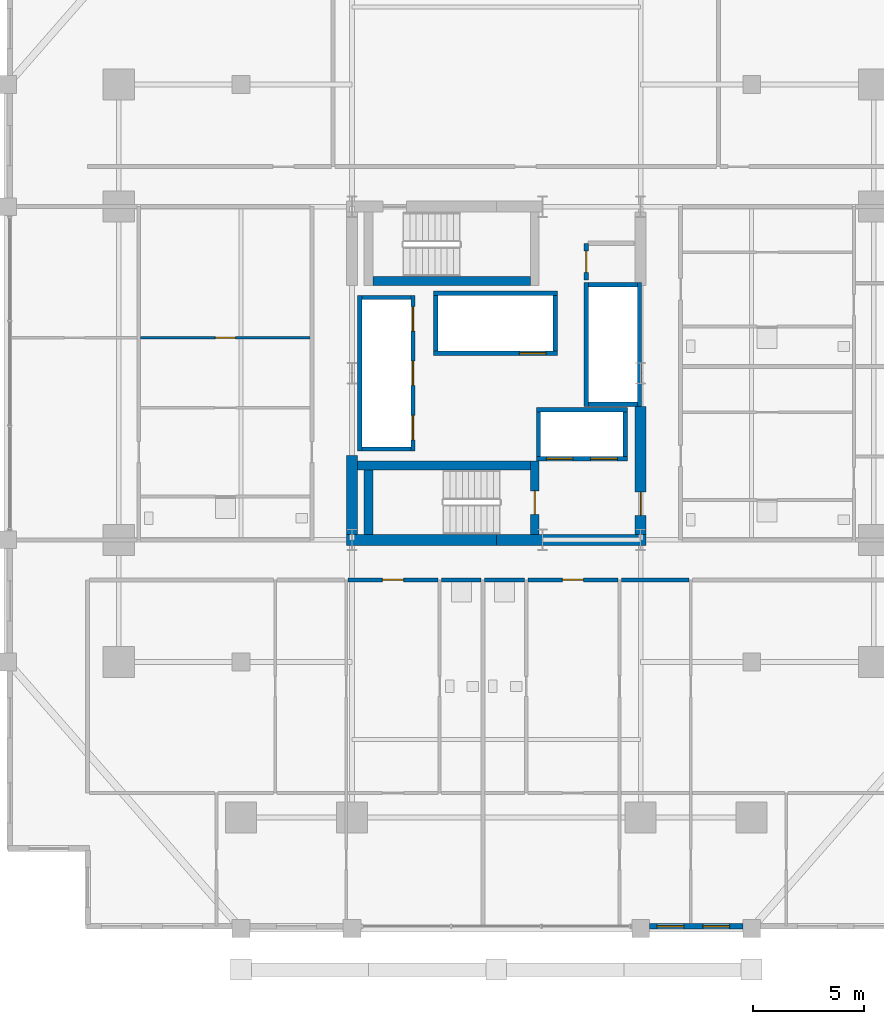
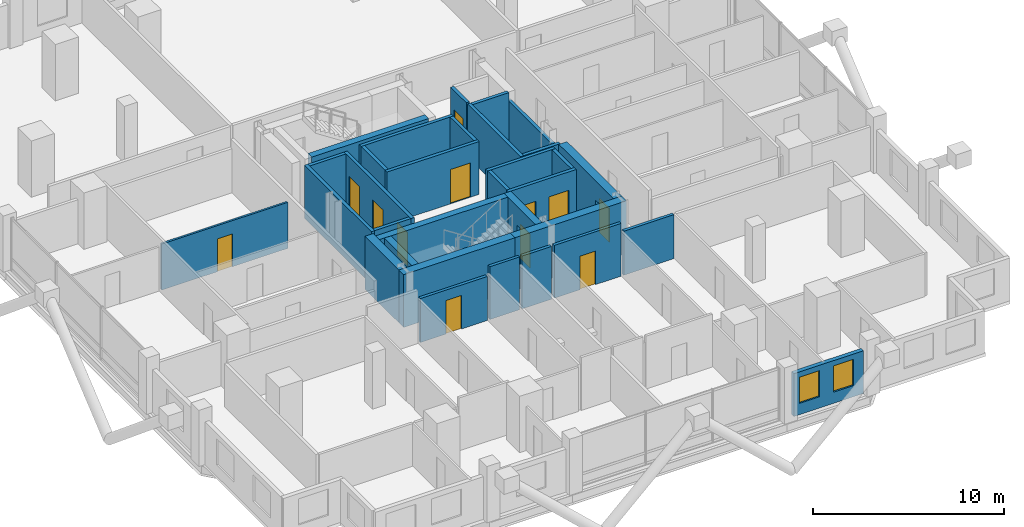
# One storey, part 18 of 23: 32 walls, 12 doors, 2 windows, 14 openings.
"""IFC4 building model written with IfcOpenShell, lengths in metres."""

from ifc_helpers import new_model, si_unit, direction, frame, frame_2d, origin, place, context, subcontext, project, spatial, rectangle, extrude, material, layer, layer_set, type_object, element, fill, save


model = new_model("IFC4")

# Units and contexts
model_context = context("Model", 3, precision=1e-05, world=origin(), true_north=direction((0.0, 1.0)))
body_context = subcontext(model_context, "Body", "Model", "MODEL_VIEW")
ifc_project = project(units=[si_unit("LENGTHUNIT", "METRE"), si_unit("AREAUNIT", "SQUARE_METRE"), si_unit("VOLUMEUNIT", "CUBIC_METRE"), si_unit("PLANEANGLEUNIT", "RADIAN"), si_unit("MASSUNIT", "GRAM", prefix="KILO")], contexts=[model_context])

# Site, building, storey
site_placement = place(None, origin())
site = spatial("IfcSite", under=ifc_project, at=site_placement, CompositionType="ELEMENT")
building_placement = place(site_placement, origin())
building = spatial("IfcBuilding", under=site, at=building_placement, Name="Barlavira Tower and Art Museum", CompositionType="ELEMENT")
storey_placement = place(building_placement, frame((0.0, 0.0, 68.39990234375)))
storey = spatial("IfcBuildingStorey", under=building, at=storey_placement, Name="L16", CompositionType="ELEMENT", Elevation=68.39990234375)

# Wall, opening, door
ifc_material_1 = material(Name="Gypsum acoustic stud partition", Category="gypsum")
ifc_layer_1 = layer(ifc_material_1, 0.1201171875, Name="Gypsum acoustic stud partition")
ifc_layer_set_1 = layer_set([ifc_layer_1], Name="Gypsum acoustic stud partition")
wall_type_1 = type_object("IfcWallType", Name="Apartment Internal Acoustic Partition 120", PredefinedType="PARTITIONING", material=ifc_layer_set_1)
wall_1_placement = place(storey_placement, frame((-16.02001953125, 1.60009765625, 0.0), z_axis=(0.0, 0.0, 1.0), x_axis=(1.0, 0.0, 0.0)))
wall_1 = element("IfcWall", 1, at=wall_1_placement, inside=storey, type_object=wall_type_1, Name="L16 Partition Wall 49", PredefinedType="PARTITIONING", context=body_context, shape_type="SweptSolid", body=[
    extrude(rectangle(XDim=7.64013671875, YDim=0.1201171875, at=frame_2d((3.820068359375, 0.0))), origin(), (0.0, 0.0, 1.0), 2.947998046875),
])
opening_1_placement = place(wall_1_placement, frame((3.3701171875, 0.0, 0.0)))
opening_1 = element("IfcOpeningElement", 2, at=opening_1_placement, cuts=wall_1, Name="Opening D-01", PredefinedType="OPENING", context=body_context, shape_type="SweptSolid", body=[
    extrude(rectangle(XDim=0.89990234375, YDim=2.10009765625, at=frame_2d((0.449951171875, 1.050048828125))), frame((0.0, 0.070068359375, 0.0), z_axis=(0.0, -1.0, 0.0), x_axis=(1.0, 0.0, 0.0)), (0.0, 0.0, 1.0), 0.14013671875),
])
ifc_material_2 = material(Name="Engineered coastal hardwood", Category="wood")
door_type_1 = type_object("IfcDoorType", Name="Internal Bedroom Timber Flush Door 900x2100", OperationType="NOTDEFINED", PredefinedType="DOOR", material=ifc_material_2)
door_1_placement = place(opening_1_placement, origin())
door_1 = element("IfcDoor", 3, at=door_1_placement, inside=storey, type_object=door_type_1, Name="Apartment W1 Walk-In Dressing Room Door", OperationType="SINGLE_SWING_RIGHT", OverallHeight=2.10009765625, OverallWidth=0.89990234375, PredefinedType="DOOR", context=body_context, shape_type="SweptSolid", body=[
    extrude(rectangle(XDim=0.89990234375, YDim=2.10009765625, at=frame_2d((0.449951171875, 1.050048828125))), frame((0.0, 0.02490234375, 0.0), z_axis=(0.0, -1.0, 0.0), x_axis=(1.0, 0.0, 0.0)), (0.0, 0.0, 1.0), 0.050048828125),
])
fill(opening_1, door_1)

# Walls
ifc_material_3 = material(Name="Concrete C60", Category="concrete")
ifc_layer_2 = layer(ifc_material_3, 0.5, Name="Concrete C60")
ifc_layer_set_2 = layer_set([ifc_layer_2], Name="Concrete C60")
wall_type_2 = type_object("IfcWallType", Name="Core Structural Shear Wall 500 Concrete C60", PredefinedType="SHEAR", material=ifc_layer_set_2)
for number, where, z_axis, x_axis, name in (
    (4, (-6.75, -7.5, 0.0), (0.0, 0.0, 1.0), (1.0, 0.0, 0.0), "L16 Core Shear Wall CS-SW"),
    (5, (0.0, -7.5, 0.0), (0.0, 0.0, 1.0), (1.0, 0.0, 0.0), "L16 Core Shear Wall CS-SE"),
):
    element("IfcWall", number, at=place(storey_placement, frame(where, z_axis=z_axis, x_axis=x_axis)), inside=storey, type_object=wall_type_2, Name=name, PredefinedType="SHEAR", context=body_context, shape_type="SweptSolid", body=[
        extrude(rectangle(XDim=6.75, YDim=0.5, at=frame_2d((3.375, 0.0))), origin(), (0.0, 0.0, 1.0), 3.380126953125),
    ])
wall_2_placement = place(storey_placement, frame((-6.5, -7.25, 0.0), z_axis=(0.0, 0.0, 1.0), x_axis=(0.0, 1.0, 0.0)))
element("IfcWall", 6, at=wall_2_placement, inside=storey, type_object=wall_type_2, Name="L16 Core Shear Wall CS-W1", PredefinedType="SHEAR", context=body_context, shape_type="SweptSolid", body=[
    extrude(rectangle(XDim=3.550048828125, YDim=0.5, at=frame_2d((1.77490234375, 0.0))), origin(), (0.0, 0.0, 1.0), 3.380126953125),
])

# Wall, opening, door
wall_3_placement = place(storey_placement, frame((6.5, -7.25, 0.0), z_axis=(0.0, 0.0, 1.0), x_axis=(0.0, 1.0, 0.0)))
wall_3 = element("IfcWall", 7, at=wall_3_placement, inside=storey, type_object=wall_type_2, Name="L16 Core Shear Wall CS-E1", PredefinedType="SHEAR", context=body_context, shape_type="SweptSolid", body=[
    extrude(rectangle(XDim=5.75, YDim=0.5, at=frame_2d((2.875, 0.0))), origin(), (0.0, 0.0, 1.0), 3.380126953125),
])
opening_2_placement = place(wall_3_placement, frame((0.85009765625, 0.0, 0.0)))
opening_2 = element("IfcOpeningElement", 8, at=opening_2_placement, cuts=wall_3, Name="Opening FD-90", PredefinedType="OPENING", context=body_context, shape_type="SweptSolid", body=[
    extrude(rectangle(XDim=1.050048828125, YDim=2.14990234375, at=frame_2d((0.52490234375, 1.074951171875))), frame((0.0, 0.260009765625, 0.0), z_axis=(0.0, -1.0, 0.0), x_axis=(1.0, 0.0, 0.0)), (0.0, 0.0, 1.0), 0.52001953125),
])
ifc_material_4 = material(Name="Brushed stainless steel", Category="steel")
door_type_2 = type_object("IfcDoorType", Name="Stair and Refuge Fire Door 1050x2150 FD90S", OperationType="NOTDEFINED", PredefinedType="DOOR", material=ifc_material_4)
door_2_placement = place(opening_2_placement, origin())
door_2 = element("IfcDoor", 9, at=door_2_placement, inside=storey, type_object=door_type_2, Name="L16 Firefighting Lobby Entry Fire Door", OperationType="SINGLE_SWING_LEFT", OverallHeight=2.14990234375, OverallWidth=1.050048828125, PredefinedType="DOOR", context=body_context, shape_type="SweptSolid", body=[
    extrude(rectangle(XDim=1.050048828125, YDim=2.14990234375, at=frame_2d((0.52490234375, 1.074951171875))), frame((0.0, 0.02490234375, 0.0), z_axis=(0.0, -1.0, 0.0), x_axis=(1.0, 0.0, 0.0)), (0.0, 0.0, 1.0), 0.050048828125),
])
fill(opening_2, door_2)

# Wall, openings, doors
ifc_material_5 = material(Name="Autoclaved aerated concrete masonry", Category="masonry")
ifc_layer_3 = layer(ifc_material_5, 0.199951171875, Name="Autoclaved aerated concrete masonry")
ifc_layer_set_3 = layer_set([ifc_layer_3], Name="Autoclaved aerated concrete masonry")
wall_type_3 = type_object("IfcWallType", Name="Fire Compartment and Shaft Wall 200", PredefinedType="SOLIDWALL", material=ifc_layer_set_3)
wall_4_placement = place(storey_placement, frame((-3.75, -3.510009765625, 0.0), z_axis=(0.0, 0.0, 1.0), x_axis=(0.0, 1.0, 0.0)))
wall_4 = element("IfcWall", 10, at=wall_4_placement, inside=storey, type_object=wall_type_3, Name="L16 Low-Rise Lift Front Shaft Wall", PredefinedType="SOLIDWALL", context=body_context, shape_type="SweptSolid", body=[
    extrude(rectangle(XDim=7.02001953125, YDim=0.199951171875, at=frame_2d((3.510009765625, 0.0))), origin(), (0.0, 0.0, 1.0), 3.380126953125),
])
opening_3_placement = place(wall_4_placement, frame((0.510009765625, 0.0, 0.0)))
opening_3 = element("IfcOpeningElement", 11, at=opening_3_placement, cuts=wall_4, Name="Opening LD-P", PredefinedType="OPENING", context=body_context, shape_type="SweptSolid", body=[
    extrude(rectangle(XDim=1.10009765625, YDim=2.14990234375, at=frame_2d((0.550048828125, 1.074951171875))), frame((0.0, 0.10986328125, 0.0), z_axis=(0.0, -1.0, 0.0), x_axis=(1.0, 0.0, 0.0)), (0.0, 0.0, 1.0), 0.219970703125),
])
opening_4_placement = place(wall_4_placement, frame((2.9599609375, 0.0, 0.0)))
opening_4 = element("IfcOpeningElement", 12, at=opening_4_placement, cuts=wall_4, Name="Opening LD-P", PredefinedType="OPENING", context=body_context, shape_type="SweptSolid", body=[
    extrude(rectangle(XDim=1.10009765625, YDim=2.14990234375, at=frame_2d((0.550048828125, 1.074951171875))), frame((0.0, 0.10986328125, 0.0), z_axis=(0.0, -1.0, 0.0), x_axis=(1.0, 0.0, 0.0)), (0.0, 0.0, 1.0), 0.219970703125),
])
opening_5_placement = place(wall_4_placement, frame((5.409912109375, 0.0, 0.0)))
opening_5 = element("IfcOpeningElement", 13, at=opening_5_placement, cuts=wall_4, Name="Opening LD-P", PredefinedType="OPENING", context=body_context, shape_type="SweptSolid", body=[
    extrude(rectangle(XDim=1.10009765625, YDim=2.14990234375, at=frame_2d((0.550048828125, 1.074951171875))), frame((0.0, 0.10986328125, 0.0), z_axis=(0.0, -1.0, 0.0), x_axis=(1.0, 0.0, 0.0)), (0.0, 0.0, 1.0), 0.219970703125),
])
door_type_3 = type_object("IfcDoorType", Name="Passenger Lift Sliding Landing Door 1100x2150 FD60", OperationType="NOTDEFINED", PredefinedType="DOOR", material=ifc_material_4)
door_3_placement = place(opening_3_placement, origin())
door_3 = element("IfcDoor", 14, at=door_3_placement, inside=storey, type_object=door_type_3, Name="L16 Lift PL1 Sliding Landing Door", OperationType="DOUBLE_DOOR_SLIDING", OverallHeight=2.14990234375, OverallWidth=1.10009765625, PredefinedType="DOOR", context=body_context, shape_type="SweptSolid", body=[
    extrude(rectangle(XDim=1.10009765625, YDim=2.14990234375, at=frame_2d((0.550048828125, 1.074951171875))), frame((0.0, 0.02490234375, 0.0), z_axis=(0.0, -1.0, 0.0), x_axis=(1.0, 0.0, 0.0)), (0.0, 0.0, 1.0), 0.050048828125),
])
fill(opening_3, door_3)
door_4_placement = place(opening_4_placement, origin())
door_4 = element("IfcDoor", 15, at=door_4_placement, inside=storey, type_object=door_type_3, Name="L16 Lift PL2 Sliding Landing Door", OperationType="DOUBLE_DOOR_SLIDING", OverallHeight=2.14990234375, OverallWidth=1.10009765625, PredefinedType="DOOR", context=body_context, shape_type="SweptSolid", body=[
    extrude(rectangle(XDim=1.10009765625, YDim=2.14990234375, at=frame_2d((0.550048828125, 1.074951171875))), frame((0.0, 0.02490234375, 0.0), z_axis=(0.0, -1.0, 0.0), x_axis=(1.0, 0.0, 0.0)), (0.0, 0.0, 1.0), 0.050048828125),
])
fill(opening_4, door_4)
door_5_placement = place(opening_5_placement, origin())
door_5 = element("IfcDoor", 16, at=door_5_placement, inside=storey, type_object=door_type_3, Name="L16 Lift PL3 Sliding Landing Door", OperationType="DOUBLE_DOOR_SLIDING", OverallHeight=2.14990234375, OverallWidth=1.10009765625, PredefinedType="DOOR", context=body_context, shape_type="SweptSolid", body=[
    extrude(rectangle(XDim=1.10009765625, YDim=2.14990234375, at=frame_2d((0.550048828125, 1.074951171875))), frame((0.0, 0.02490234375, 0.0), z_axis=(0.0, -1.0, 0.0), x_axis=(1.0, 0.0, 0.0)), (0.0, 0.0, 1.0), 0.050048828125),
])
fill(opening_5, door_5)

# Walls
wall_5_placement = place(storey_placement, frame((-6.14990234375, -3.510009765625, 0.0), z_axis=(0.0, 0.0, 1.0), x_axis=(0.0, 1.0, 0.0)))
element("IfcWall", 17, at=wall_5_placement, inside=storey, type_object=wall_type_3, Name="L16 Low-Rise Lift Back Shaft Wall", PredefinedType="SOLIDWALL", context=body_context, shape_type="SweptSolid", body=[
    extrude(rectangle(XDim=7.02001953125, YDim=0.199951171875, at=frame_2d((3.510009765625, 0.0))), origin(), (0.0, 0.0, 1.0), 3.380126953125),
])
for number, where, z_axis, x_axis, name in (
    (18, (-6.050048828125, -3.409912109375, 0.0), (0.0, 0.0, 1.0), (1.0, 0.0, 0.0), "L16 Low-Rise Lift South Shaft Wall"),
    (19, (-6.050048828125, 3.409912109375, 0.0), (0.0, 0.0, 1.0), (1.0, 0.0, 0.0), "L16 Low-Rise Lift North Shaft Wall"),
):
    element("IfcWall", number, at=place(storey_placement, frame(where, z_axis=z_axis, x_axis=x_axis)), inside=storey, type_object=wall_type_3, Name=name, PredefinedType="SOLIDWALL", context=body_context, shape_type="SweptSolid", body=[
        extrude(rectangle(XDim=2.199951171875, YDim=0.199951171875, at=frame_2d((1.10009765625, 0.0))), origin(), (0.0, 0.0, 1.0), 3.380126953125),
    ])
wall_6_placement = place(storey_placement, frame((4.050048828125, -1.489990234375, 0.0), z_axis=(0.0, 0.0, 1.0), x_axis=(0.0, 1.0, 0.0)))
element("IfcWall", 20, at=wall_6_placement, inside=storey, type_object=wall_type_3, Name="L16 Mid-Rise Lift Front Shaft Wall", PredefinedType="SOLIDWALL", context=body_context, shape_type="SweptSolid", body=[
    extrude(rectangle(XDim=5.580078125, YDim=0.199951171875, at=frame_2d((2.7900390625, 0.0))), origin(), (0.0, 0.0, 1.0), 3.380126953125),
])
wall_7_placement = place(storey_placement, frame((6.449951171875, -1.489990234375, 0.0), z_axis=(0.0, 0.0, 1.0), x_axis=(0.0, 1.0, 0.0)))
element("IfcWall", 21, at=wall_7_placement, inside=storey, type_object=wall_type_3, Name="L16 Mid-Rise Lift Back Shaft Wall", PredefinedType="SOLIDWALL", context=body_context, shape_type="SweptSolid", body=[
    extrude(rectangle(XDim=5.580078125, YDim=0.199951171875, at=frame_2d((2.7900390625, 0.0))), origin(), (0.0, 0.0, 1.0), 2.816162109375),
])
for number, where, z_axis, x_axis, name in (
    (22, (4.14990234375, -1.389892578125, 0.0), (0.0, 0.0, 1.0), (1.0, 0.0, 0.0), "L16 Mid-Rise Lift South Shaft Wall"),
    (23, (4.14990234375, 3.989990234375, 0.0), (0.0, 0.0, 1.0), (1.0, 0.0, 0.0), "L16 Mid-Rise Lift North Shaft Wall"),
):
    element("IfcWall", number, at=place(storey_placement, frame(where, z_axis=z_axis, x_axis=x_axis)), inside=storey, type_object=wall_type_3, Name=name, PredefinedType="SOLIDWALL", context=body_context, shape_type="SweptSolid", body=[
        extrude(rectangle(XDim=2.2001953125, YDim=0.199951171875, at=frame_2d((1.10009765625, 0.0))), origin(), (0.0, 0.0, 1.0), 3.380126953125),
    ])

# Wall, opening, door
wall_8_placement = place(storey_placement, frame((-2.820068359375, 0.89990234375, 0.0), z_axis=(0.0, 0.0, 1.0), x_axis=(1.0, 0.0, 0.0)))
wall_8 = element("IfcWall", 24, at=wall_8_placement, inside=storey, type_object=wall_type_3, Name="L16 High-Rise & Service Lift Front Wall", PredefinedType="SOLIDWALL", context=body_context, shape_type="SweptSolid", body=[
    extrude(rectangle(XDim=5.580078125, YDim=0.199951171875, at=frame_2d((2.7900390625, 0.0))), origin(), (0.0, 0.0, 1.0), 3.380126953125),
])
opening_6_placement = place(wall_8_placement, frame((3.860107421875, 0.0, 0.0)))
opening_6 = element("IfcOpeningElement", 25, at=opening_6_placement, cuts=wall_8, Name="Opening LD-F", PredefinedType="OPENING", context=body_context, shape_type="SweptSolid", body=[
    extrude(rectangle(XDim=1.199951171875, YDim=2.199951171875, at=frame_2d((0.60009765625, 1.10009765625))), frame((0.0, 0.10986328125, 0.0), z_axis=(0.0, -1.0, 0.0), x_axis=(1.0, 0.0, 0.0)), (0.0, 0.0, 1.0), 0.219970703125),
])
door_type_4 = type_object("IfcDoorType", Name="Firefighting and Service Lift Sliding Door 1200x2200 FD120", OperationType="NOTDEFINED", PredefinedType="DOOR", material=ifc_material_4)
door_6_placement = place(opening_6_placement, origin())
door_6 = element("IfcDoor", 26, at=door_6_placement, inside=storey, type_object=door_type_4, Name="L16 Stretcher Service Lift SL1 Sliding Door", OperationType="DOUBLE_DOOR_SLIDING", OverallHeight=2.199951171875, OverallWidth=1.199951171875, PredefinedType="DOOR", context=body_context, shape_type="SweptSolid", body=[
    extrude(rectangle(XDim=1.199951171875, YDim=2.199951171875, at=frame_2d((0.60009765625, 1.10009765625))), frame((0.0, 0.02490234375, 0.0), z_axis=(0.0, -1.0, 0.0), x_axis=(1.0, 0.0, 0.0)), (0.0, 0.0, 1.0), 0.050048828125),
])
fill(opening_6, door_6)

# Walls
wall_9_placement = place(storey_placement, frame((-2.820068359375, 3.60009765625, 0.0), z_axis=(0.0, 0.0, 1.0), x_axis=(1.0, 0.0, 0.0)))
element("IfcWall", 27, at=wall_9_placement, inside=storey, type_object=wall_type_3, Name="L16 High-Rise & Service Lift Back Wall", PredefinedType="SOLIDWALL", context=body_context, shape_type="SweptSolid", body=[
    extrude(rectangle(XDim=5.580078125, YDim=0.199951171875, at=frame_2d((2.7900390625, 0.0))), origin(), (0.0, 0.0, 1.0), 3.380126953125),
])
for number, where, z_axis, x_axis, name in (
    (28, (-2.719970703125, 1.0, 0.0), (0.0, 0.0, 1.0), (0.0, 1.0, 0.0), "L16 High-Rise & Service Lift West Wall"),
    (29, (2.659912109375, 1.0, 0.0), (0.0, 0.0, 1.0), (0.0, 1.0, 0.0), "L16 High-Rise & Service Lift East Wall"),
):
    element("IfcWall", number, at=place(storey_placement, frame(where, z_axis=z_axis, x_axis=x_axis)), inside=storey, type_object=wall_type_3, Name=name, PredefinedType="SOLIDWALL", context=body_context, shape_type="SweptSolid", body=[
        extrude(rectangle(XDim=2.5, YDim=0.199951171875, at=frame_2d((1.25, 0.0))), origin(), (0.0, 0.0, 1.0), 3.380126953125),
    ])

# Wall, openings, doors
wall_10_placement = place(storey_placement, frame((1.800048828125, -3.85009765625, 0.0), z_axis=(0.0, 0.0, 1.0), x_axis=(1.0, 0.0, 0.0)))
wall_10 = element("IfcWall", 30, at=wall_10_placement, inside=storey, type_object=wall_type_3, Name="L16 Firefighting Lift Front Shaft Wall", PredefinedType="SOLIDWALL", context=body_context, shape_type="SweptSolid", body=[
    extrude(rectangle(XDim=4.099853515625, YDim=0.199951171875, at=frame_2d((2.0498046875, 0.0))), origin(), (0.0, 0.0, 1.0), 3.380126953125),
])
opening_7_placement = place(wall_10_placement, frame((0.449951171875, 0.0, 0.0)))
opening_7 = element("IfcOpeningElement", 31, at=opening_7_placement, cuts=wall_10, Name="Opening LD-F", PredefinedType="OPENING", context=body_context, shape_type="SweptSolid", body=[
    extrude(rectangle(XDim=1.199951171875, YDim=2.199951171875, at=frame_2d((0.60009765625, 1.10009765625))), frame((0.0, 0.10986328125, 0.0), z_axis=(0.0, -1.0, 0.0), x_axis=(1.0, 0.0, 0.0)), (0.0, 0.0, 1.0), 0.219970703125),
])
opening_8_placement = place(wall_10_placement, frame((2.449951171875, 0.0, 0.0)))
opening_8 = element("IfcOpeningElement", 32, at=opening_8_placement, cuts=wall_10, Name="Opening LD-F", PredefinedType="OPENING", context=body_context, shape_type="SweptSolid", body=[
    extrude(rectangle(XDim=1.199951171875, YDim=2.199951171875, at=frame_2d((0.60009765625, 1.10009765625))), frame((0.0, 0.10986328125, 0.0), z_axis=(0.0, -1.0, 0.0), x_axis=(1.0, 0.0, 0.0)), (0.0, 0.0, 1.0), 0.219970703125),
])
door_7_placement = place(opening_7_placement, origin())
door_7 = element("IfcDoor", 33, at=door_7_placement, inside=storey, type_object=door_type_4, Name="L16 Firefighting Lift FF1 Sliding Door", OperationType="DOUBLE_DOOR_SLIDING", OverallHeight=2.199951171875, OverallWidth=1.199951171875, PredefinedType="DOOR", context=body_context, shape_type="SweptSolid", body=[
    extrude(rectangle(XDim=1.199951171875, YDim=2.199951171875, at=frame_2d((0.60009765625, 1.10009765625))), frame((0.0, 0.02490234375, 0.0), z_axis=(0.0, -1.0, 0.0), x_axis=(1.0, 0.0, 0.0)), (0.0, 0.0, 1.0), 0.050048828125),
])
fill(opening_7, door_7)
door_8_placement = place(opening_8_placement, origin())
door_8 = element("IfcDoor", 34, at=door_8_placement, inside=storey, type_object=door_type_4, Name="L16 Firefighting Lift FF2 Sliding Door", OperationType="DOUBLE_DOOR_SLIDING", OverallHeight=2.199951171875, OverallWidth=1.199951171875, PredefinedType="DOOR", context=body_context, shape_type="SweptSolid", body=[
    extrude(rectangle(XDim=1.199951171875, YDim=2.199951171875, at=frame_2d((0.60009765625, 1.10009765625))), frame((0.0, 0.02490234375, 0.0), z_axis=(0.0, -1.0, 0.0), x_axis=(1.0, 0.0, 0.0)), (0.0, 0.0, 1.0), 0.050048828125),
])
fill(opening_8, door_8)

# Walls
wall_11_placement = place(storey_placement, frame((1.800048828125, -1.64990234375, 0.0), z_axis=(0.0, 0.0, 1.0), x_axis=(1.0, 0.0, 0.0)))
element("IfcWall", 35, at=wall_11_placement, inside=storey, type_object=wall_type_3, Name="L16 Firefighting Lift Back Shaft Wall", PredefinedType="SOLIDWALL", context=body_context, shape_type="SweptSolid", body=[
    extrude(rectangle(XDim=4.099853515625, YDim=0.199951171875, at=frame_2d((2.0498046875, 0.0))), origin(), (0.0, 0.0, 1.0), 3.380126953125),
])
for number, where, z_axis, x_axis, name in (
    (36, (1.89990234375, -3.75, 0.0), (0.0, 0.0, 1.0), (0.0, 1.0, 0.0), "L16 Firefighting Lift West Shaft Wall"),
    (37, (5.800048828125, -3.75, 0.0), (0.0, 0.0, 1.0), (0.0, 1.0, 0.0), "L16 Firefighting Lift East Shaft Wall"),
):
    element("IfcWall", number, at=place(storey_placement, frame(where, z_axis=z_axis, x_axis=x_axis)), inside=storey, type_object=wall_type_3, Name=name, PredefinedType="SOLIDWALL", context=body_context, shape_type="SweptSolid", body=[
        extrude(rectangle(XDim=2.0, YDim=0.199951171875, at=frame_2d((1.0, 0.0))), origin(), (0.0, 0.0, 1.0), 3.380126953125),
    ])

# Wall, opening, door
wall_12_placement = place(storey_placement, frame((4.050048828125, 4.199951171875, 0.0), z_axis=(0.0, 0.0, 1.0), x_axis=(0.0, 1.0, 0.0)))
wall_12 = element("IfcWall", 38, at=wall_12_placement, inside=storey, type_object=wall_type_3, Name="L16 Partition Wall 11", PredefinedType="SOLIDWALL", context=body_context, shape_type="SweptSolid", body=[
    extrude(rectangle(XDim=1.650146484375, YDim=0.199951171875, at=frame_2d((0.8251953125, 0.0))), origin(), (0.0, 0.0, 1.0), 3.380126953125),
])
opening_9_placement = place(wall_12_placement, frame((0.344970703125, 0.0, 0.0)))
opening_9 = element("IfcOpeningElement", 39, at=opening_9_placement, cuts=wall_12, Name="Opening FD-60", PredefinedType="OPENING", context=body_context, shape_type="SweptSolid", body=[
    extrude(rectangle(XDim=0.949951171875, YDim=2.14990234375, at=frame_2d((0.47509765625, 1.074951171875))), frame((0.0, 0.10986328125, 0.0), z_axis=(0.0, -1.0, 0.0), x_axis=(1.0, 0.0, 0.0)), (0.0, 0.0, 1.0), 0.219970703125),
])
door_type_5 = type_object("IfcDoorType", Name="Apartment Entrance and Riser Fire Door 950x2150 FD60S", OperationType="NOTDEFINED", PredefinedType="DOOR", material=ifc_material_4)
door_9_placement = place(opening_9_placement, origin())
door_9 = element("IfcDoor", 40, at=door_9_placement, inside=storey, type_object=door_type_5, Name="Telecom and BMS Distribution Room Door", OperationType="SINGLE_SWING_RIGHT", OverallHeight=2.14990234375, OverallWidth=0.949951171875, PredefinedType="DOOR", context=body_context, shape_type="SweptSolid", body=[
    extrude(rectangle(XDim=0.949951171875, YDim=2.14990234375, at=frame_2d((0.47509765625, 1.074951171875))), frame((0.0, 0.02490234375, 0.0), z_axis=(0.0, -1.0, 0.0), x_axis=(1.0, 0.0, 0.0)), (0.0, 0.0, 1.0), 0.050048828125),
])
fill(opening_9, door_9)

ifc_layer_4 = layer(ifc_material_1, 0.179931640625, Name="Gypsum acoustic stud partition")
ifc_layer_set_4 = layer_set([ifc_layer_4], Name="Gypsum acoustic stud partition")
wall_type_4 = type_object("IfcWallType", Name="Inter-Tenancy Party Partition Wall 180", PredefinedType="PARTITIONING", material=ifc_layer_set_4)
wall_13_placement = place(storey_placement, frame((-6.669921875, -9.300048828125, 0.0), z_axis=(0.0, 0.0, 1.0), x_axis=(1.0, 0.0, 0.0)))
wall_13 = element("IfcWall", 41, at=wall_13_placement, inside=storey, type_object=wall_type_4, Name="L16 Partition Wall 31", PredefinedType="PARTITIONING", context=body_context, shape_type="SweptSolid", body=[
    extrude(rectangle(XDim=4.0400390625, YDim=0.179931640625, at=frame_2d((2.02001953125, 0.0))), origin(), (0.0, 0.0, 1.0), 2.816162109375),
])
opening_10_placement = place(wall_13_placement, frame((1.544921875, 0.0, 0.0)))
opening_10 = element("IfcOpeningElement", 42, at=opening_10_placement, cuts=wall_13, Name="Opening FD-60", PredefinedType="OPENING", context=body_context, shape_type="SweptSolid", body=[
    extrude(rectangle(XDim=0.949951171875, YDim=2.14990234375, at=frame_2d((0.47509765625, 1.074951171875))), frame((0.0, 0.10009765625, 0.0), z_axis=(0.0, -1.0, 0.0), x_axis=(1.0, 0.0, 0.0)), (0.0, 0.0, 1.0), 0.199951171875),
])
door_10_placement = place(opening_10_placement, origin())
door_10 = element("IfcDoor", 43, at=door_10_placement, inside=storey, type_object=door_type_5, Name="Apartment Entrance Hall S1 Door", OperationType="SINGLE_SWING_RIGHT", OverallHeight=2.14990234375, OverallWidth=0.949951171875, PredefinedType="DOOR", context=body_context, shape_type="SweptSolid", body=[
    extrude(rectangle(XDim=0.949951171875, YDim=2.14990234375, at=frame_2d((0.47509765625, 1.074951171875))), frame((0.0, 0.02490234375, 0.0), z_axis=(0.0, -1.0, 0.0), x_axis=(1.0, 0.0, 0.0)), (0.0, 0.0, 1.0), 0.050048828125),
])
fill(opening_10, door_10)

# Walls
for number, where, z_axis, x_axis, name in (
    (44, (-2.469970703125, -9.300048828125, 0.0), (0.0, 0.0, 1.0), (1.0, 0.0, 0.0), "L16 Partition Wall 32"),
    (45, (-0.52001953125, -9.300048828125, 0.0), (0.0, 0.0, 1.0), (1.0, 0.0, 0.0), "L16 Partition Wall 33"),
):
    element("IfcWall", number, at=place(storey_placement, frame(where, z_axis=z_axis, x_axis=x_axis)), inside=storey, type_object=wall_type_4, Name=name, PredefinedType="PARTITIONING", context=body_context, shape_type="SweptSolid", body=[
        extrude(rectangle(XDim=1.7900390625, YDim=0.179931640625, at=frame_2d((0.89501953125, 0.0))), origin(), (0.0, 0.0, 1.0), 3.380126953125),
    ])

# Wall, opening, door
wall_14_placement = place(storey_placement, frame((1.429931640625, -9.300048828125, 0.0), z_axis=(0.0, 0.0, 1.0), x_axis=(1.0, 0.0, 0.0)))
wall_14 = element("IfcWall", 46, at=wall_14_placement, inside=storey, type_object=wall_type_4, Name="L16 Partition Wall 34", PredefinedType="PARTITIONING", context=body_context, shape_type="SweptSolid", body=[
    extrude(rectangle(XDim=4.0400390625, YDim=0.179931640625, at=frame_2d((2.02001953125, 0.0))), origin(), (0.0, 0.0, 1.0), 3.380126953125),
])
opening_11_placement = place(wall_14_placement, frame((1.544921875, 0.0, 0.0)))
opening_11 = element("IfcOpeningElement", 47, at=opening_11_placement, cuts=wall_14, Name="Opening FD-60", PredefinedType="OPENING", context=body_context, shape_type="SweptSolid", body=[
    extrude(rectangle(XDim=0.949951171875, YDim=2.14990234375, at=frame_2d((0.47509765625, 1.074951171875))), frame((0.0, 0.10009765625, 0.0), z_axis=(0.0, -1.0, 0.0), x_axis=(1.0, 0.0, 0.0)), (0.0, 0.0, 1.0), 0.199951171875),
])
door_11_placement = place(opening_11_placement, origin())
door_11 = element("IfcDoor", 48, at=door_11_placement, inside=storey, type_object=door_type_5, Name="Apartment Entrance Hall S2 Door", OperationType="SINGLE_SWING_LEFT", OverallHeight=2.14990234375, OverallWidth=0.949951171875, PredefinedType="DOOR", context=body_context, shape_type="SweptSolid", body=[
    extrude(rectangle(XDim=0.949951171875, YDim=2.14990234375, at=frame_2d((0.47509765625, 1.074951171875))), frame((0.0, 0.02490234375, 0.0), z_axis=(0.0, -1.0, 0.0), x_axis=(1.0, 0.0, 0.0)), (0.0, 0.0, 1.0), 0.050048828125),
])
fill(opening_11, door_11)

# Wall
wall_15_placement = place(storey_placement, frame((5.6298828125, -9.300048828125, 0.0), z_axis=(0.0, 0.0, 1.0), x_axis=(1.0, 0.0, 0.0)))
element("IfcWall", 49, at=wall_15_placement, inside=storey, type_object=wall_type_4, Name="L16 Partition Wall 35", PredefinedType="PARTITIONING", context=body_context, shape_type="SweptSolid", body=[
    extrude(rectangle(XDim=3.0400390625, YDim=0.179931640625, at=frame_2d((1.52001953125, 0.0))), origin(), (0.0, 0.0, 1.0), 2.816162109375),
])

# Wall, openings, windows
ifc_material_6 = material(Name="Precast concrete C40", Category="concrete")
ifc_layer_5 = layer(ifc_material_6, 0.25, Name="Precast concrete C40")
ifc_layer_set_5 = layer_set([ifc_layer_5], Name="Precast concrete C40")
wall_type_5 = type_object("IfcWallType", Name="Notched Corner Spandrel Wall 250 Precast Concrete C40", PredefinedType="SOLIDWALL", material=ifc_layer_set_5)
wall_16_placement = place(storey_placement, frame((6.89501953125, -24.89990234375, 0.0), z_axis=(0.0, 0.0, 1.0), x_axis=(1.0, 0.0, 0.0)))
wall_16 = element("IfcWall", 50, at=wall_16_placement, inside=storey, type_object=wall_type_5, Name="L16 Coastal Facade Pier Wall CW1-L16-S-4", PredefinedType="SOLIDWALL", context=body_context, shape_type="SweptSolid", body=[
    extrude(rectangle(XDim=4.2099609375, YDim=0.25, at=frame_2d((2.10498046875, 0.0))), origin(), (0.0, 0.0, 1.0), 2.736083984375),
])
opening_12_placement = place(wall_16_placement, frame((0.35009765625, 0.0, 0.719970703125)))
opening_12 = element("IfcOpeningElement", 51, at=opening_12_placement, cuts=wall_16, Name="Opening WN-05", PredefinedType="OPENING", context=body_context, shape_type="SweptSolid", body=[
    extrude(rectangle(XDim=1.199951171875, YDim=1.679931640625, at=frame_2d((0.60009765625, 0.83984375))), frame((0.0, 0.135009765625, 0.0), z_axis=(0.0, -1.0, 0.0), x_axis=(1.0, 0.0, 0.0)), (0.0, 0.0, 1.0), 0.27001953125),
])
opening_13_placement = place(wall_16_placement, frame((2.409912109375, 0.0, 0.719970703125)))
opening_13 = element("IfcOpeningElement", 52, at=opening_13_placement, cuts=wall_16, Name="Opening WN-05", PredefinedType="OPENING", context=body_context, shape_type="SweptSolid", body=[
    extrude(rectangle(XDim=1.199951171875, YDim=1.679931640625, at=frame_2d((0.60009765625, 0.83984375))), frame((0.0, 0.135009765625, 0.0), z_axis=(0.0, -1.0, 0.0), x_axis=(1.0, 0.0, 0.0)), (0.0, 0.0, 1.0), 0.27001953125),
])
ifc_material_7 = material(Name="Low-iron coastal laminated glass", Category="glass")
window_type = type_object("IfcWindowType", Name="Recessed Flank Pier Punch Window 1200x1680", PartitioningType="SINGLE_PANEL", PredefinedType="WINDOW", material=ifc_material_7)
window_1_placement = place(opening_12_placement, origin())
window_1 = element("IfcWindow", 53, at=window_1_placement, inside=storey, type_object=window_type, Name="L16 Punched Facade Window EWP-CW1-L16-S-4-1", OverallHeight=1.679931640625, OverallWidth=1.199951171875, PartitioningType="SINGLE_PANEL", PredefinedType="WINDOW", context=body_context, shape_type="SweptSolid", body=[
    extrude(rectangle(XDim=1.199951171875, YDim=1.679931640625, at=frame_2d((0.60009765625, 0.83984375))), frame((0.0, 0.030029296875, 0.0), z_axis=(0.0, -1.0, 0.0), x_axis=(1.0, 0.0, 0.0)), (0.0, 0.0, 1.0), 0.06005859375),
])
fill(opening_12, window_1)
window_2_placement = place(opening_13_placement, origin())
window_2 = element("IfcWindow", 54, at=window_2_placement, inside=storey, type_object=window_type, Name="L16 Punched Facade Window EWP-CW1-L16-S-4-2", OverallHeight=1.679931640625, OverallWidth=1.199951171875, PartitioningType="SINGLE_PANEL", PredefinedType="WINDOW", context=body_context, shape_type="SweptSolid", body=[
    extrude(rectangle(XDim=1.199951171875, YDim=1.679931640625, at=frame_2d((0.60009765625, 0.83984375))), frame((0.0, 0.030029296875, 0.0), z_axis=(0.0, -1.0, 0.0), x_axis=(1.0, 0.0, 0.0)), (0.0, 0.0, 1.0), 0.06005859375),
])
fill(opening_13, window_2)

# Walls
ifc_material_8 = material(Name="Concrete C55", Category="concrete")
ifc_layer_6 = layer(ifc_material_8, 0.39990234375, Name="Concrete C55")
ifc_layer_set_6 = layer_set([ifc_layer_6], Name="Concrete C55")
wall_type_6 = type_object("IfcWallType", Name="Upper Core Shear Wall 400 Concrete C55", PredefinedType="SHEAR", material=ifc_layer_set_6)
wall_17_placement = place(storey_placement, frame((-5.75, -7.25, 0.0), z_axis=(0.0, 0.0, 1.0), x_axis=(0.0, 1.0, 0.0)))
element("IfcWall", 55, at=wall_17_placement, inside=storey, type_object=wall_type_6, Name="L16 ST-T1 West Half-Landing Wall", PredefinedType="SHEAR", context=body_context, shape_type="SweptSolid", body=[
    extrude(rectangle(XDim=2.89990234375, YDim=0.39990234375, at=frame_2d((1.449951171875, 0.0))), origin(), (0.0, 0.0, 1.0), 3.380126953125),
])
wall_18_placement = place(storey_placement, frame((-6.25, -4.14990234375, 0.0), z_axis=(0.0, 0.0, 1.0), x_axis=(1.0, 0.0, 0.0)))
element("IfcWall", 56, at=wall_18_placement, inside=storey, type_object=wall_type_6, Name="L16 ST-T1 North Shaft Wall", PredefinedType="SHEAR", context=body_context, shape_type="SweptSolid", body=[
    extrude(rectangle(XDim=7.780029296875, YDim=0.39990234375, at=frame_2d((3.89013671875, 0.0))), origin(), (0.0, 0.0, 1.0), 3.380126953125),
])

# Wall, opening, door
wall_19_placement = place(storey_placement, frame((1.72998046875, -7.25, 0.0), z_axis=(0.0, 0.0, 1.0), x_axis=(0.0, 1.0, 0.0)))
wall_19 = element("IfcWall", 57, at=wall_19_placement, inside=storey, type_object=wall_type_6, Name="L16 ST-T1 East Landing Wall", PredefinedType="SHEAR", context=body_context, shape_type="SweptSolid", body=[
    extrude(rectangle(XDim=3.300048828125, YDim=0.39990234375, at=frame_2d((1.64990234375, 0.0))), origin(), (0.0, 0.0, 1.0), 3.380126953125),
])
opening_14_placement = place(wall_19_placement, frame((0.89990234375, 0.0, 0.0)))
opening_14 = element("IfcOpeningElement", 58, at=opening_14_placement, cuts=wall_19, Name="Opening FD-90", PredefinedType="OPENING", context=body_context, shape_type="SweptSolid", body=[
    extrude(rectangle(XDim=1.050048828125, YDim=2.14990234375, at=frame_2d((0.52490234375, 1.074951171875))), frame((0.0, 0.2099609375, 0.0), z_axis=(0.0, -1.0, 0.0), x_axis=(1.0, 0.0, 0.0)), (0.0, 0.0, 1.0), 0.419921875),
])
door_12_placement = place(opening_14_placement, origin())
door_12 = element("IfcDoor", 59, at=door_12_placement, inside=storey, type_object=door_type_2, Name="L16 Stair ST-T1 Fire Door", OperationType="SINGLE_SWING_RIGHT", OverallHeight=2.14990234375, OverallWidth=1.050048828125, PredefinedType="DOOR", context=body_context, shape_type="SweptSolid", body=[
    extrude(rectangle(XDim=1.050048828125, YDim=2.14990234375, at=frame_2d((0.52490234375, 1.074951171875))), frame((0.0, 0.02490234375, 0.0), z_axis=(0.0, -1.0, 0.0), x_axis=(1.0, 0.0, 0.0)), (0.0, 0.0, 1.0), 0.050048828125),
])
fill(opening_14, door_12)

# Wall
wall_20_placement = place(storey_placement, frame((-5.550048828125, 4.14990234375, 0.0), z_axis=(0.0, 0.0, 1.0), x_axis=(1.0, 0.0, 0.0)))
element("IfcWall", 60, at=wall_20_placement, inside=storey, type_object=wall_type_6, Name="L16 ST-T2 South Shaft Wall", PredefinedType="SHEAR", context=body_context, shape_type="SweptSolid", body=[
    extrude(rectangle(XDim=7.080078125, YDim=0.39990234375, at=frame_2d((3.5400390625, 0.0))), origin(), (0.0, 0.0, 1.0), 3.380126953125),
])

save(model, "model.ifc")
